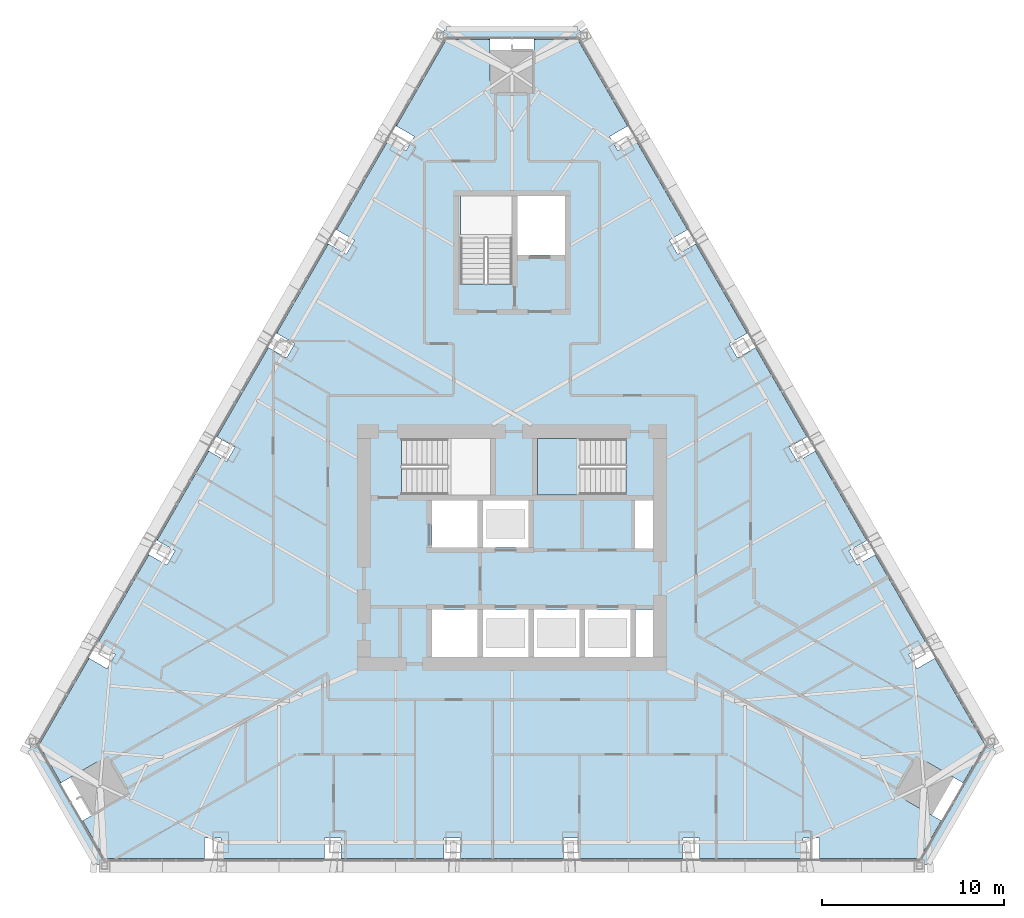
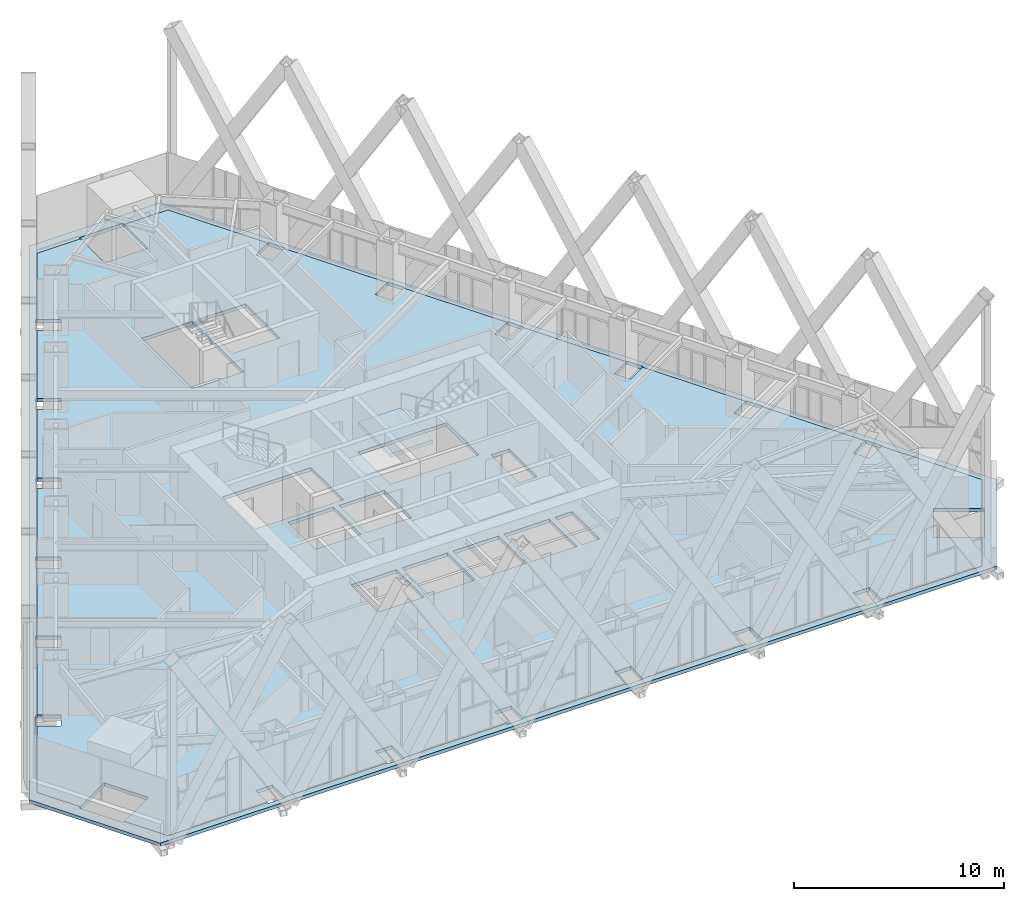
# One storey, part 11 of 21: 3 slabs, 1 element without a shape of its own.
"""IFC4 building model written with IfcOpenShell, lengths in metres."""

import ifcopenshell
import ifcopenshell.guid

model = None  # the IFC model being written
_history = None  # IfcOwnerHistory: only IFC2X3 demands one
_inside = {}  # id of a spatial element -> (the spatial element, [elements in it])
_under = {}  # id of a project, library or spatial element -> (it, [spatial elements below it])
_declared = {}  # id of a project -> (the project, [libraries it declares])
_typed = {}  # id of a type object -> (the type object, [elements of that type])
_made_of = {}  # id of a material, layer set ... -> (it, [elements and type objects made of it])


def new_model(schema):
    """Start an empty IFC model of exactly this schema.

    Asked for "IFC4X3", IfcOpenShell would pick the latest addendum, in which some entities
    have other attributes; the version numbers below select the first issue.
    IFC2X3 requires an IfcOwnerHistory on every rooted entity: one is made here for all.
    """
    global model, _history
    if schema == "IFC4X3":
        model = ifcopenshell.file(schema_version=(4, 3, 0, 0))
    else:
        model = ifcopenshell.file(schema=schema)
    _inside.clear()
    _under.clear()
    _declared.clear()
    _typed.clear()
    _made_of.clear()
    _history = None
    if model.schema == "IFC2X3":
        org = make("IfcOrganization", Name="unknown")
        user = make(
            "IfcPersonAndOrganization",
            ThePerson=make("IfcPerson", FamilyName="unknown"),
            TheOrganization=org,
        )
        app = make(
            "IfcApplication",
            ApplicationDeveloper=org,
            Version="unknown",
            ApplicationFullName="unknown",
            ApplicationIdentifier="unknown",
        )
        _history = make(
            "IfcOwnerHistory",
            OwningUser=user,
            OwningApplication=app,
            ChangeAction="ADDED",
            CreationDate=0,
        )
    return model


def make(cls, **values):
    """One entity of the class cls with the attributes given. An attribute that is None is left unset."""
    return model.create_entity(
        cls, **{name: value for name, value in values.items() if value is not None}
    )


def rooted(cls, **values):
    """An entity with a GlobalId (a new one), such as an element, a storey or a relation."""
    return make(cls, GlobalId=ifcopenshell.guid.new(), OwnerHistory=_history, **values)


def si_unit(unit_type, name, prefix=None):
    """IfcSIUnit, for example si_unit("LENGTHUNIT", "METRE", prefix="MILLI")."""
    return make("IfcSIUnit", UnitType=unit_type, Prefix=prefix, Name=name)


def assignment(units):
    """IfcUnitAssignment: the units of a project."""
    return None if units is None else make("IfcUnitAssignment", Units=units)


def point(xyz):
    """IfcCartesianPoint."""
    return None if xyz is None else make("IfcCartesianPoint", Coordinates=xyz)


def direction(xyz):
    """IfcDirection."""
    return None if xyz is None else make("IfcDirection", DirectionRatios=xyz)


def frame(location, z_axis=None, x_axis=None):
    """IfcAxis2Placement3D, a coordinate frame: its origin and axes. An axis left out is left unset."""
    return make(
        "IfcAxis2Placement3D",
        Location=point(location),
        Axis=direction(z_axis),
        RefDirection=direction(x_axis),
    )


def origin():
    """The frame at (0, 0, 0) with its axes left unset."""
    return frame((0.0, 0.0, 0.0))


def place(relative_to, where):
    """IfcLocalPlacement: puts the frame where relative to a parent placement (None: the world)."""
    return make(
        "IfcLocalPlacement", PlacementRelTo=relative_to, RelativePlacement=where
    )


def context(
    kind, dimensions, precision=None, world=None, true_north=None, identifier=None
):
    """IfcGeometricRepresentationContext, for example the 3D "Model" context."""
    return make(
        "IfcGeometricRepresentationContext",
        ContextIdentifier=identifier,
        ContextType=kind,
        CoordinateSpaceDimension=dimensions,
        Precision=precision,
        WorldCoordinateSystem=world,
        TrueNorth=true_north,
    )


def subcontext(parent, identifier, kind, view, scale=None):
    """IfcGeometricRepresentationSubContext, for example "Body" below "Model"."""
    return make(
        "IfcGeometricRepresentationSubContext",
        ContextIdentifier=identifier,
        ContextType=kind,
        ParentContext=parent,
        TargetScale=scale,
        TargetView=view,
    )


def project(units=None, contexts=None):
    """IfcProject with its units and contexts."""
    return rooted(
        "IfcProject",
        Name="project",
        RepresentationContexts=contexts,
        UnitsInContext=assignment(units),
    )


def spatial(cls, under=None, at=None, **own):
    """A site, building, storey or space (cls), placed at a placement, below another one or the project."""
    s = rooted(cls, ObjectPlacement=at, **own)
    if under is not None:
        _under.setdefault(under.id(), (under, []))[1].append(s)
    return s


def polyline(points):
    """IfcPolyline through the points."""
    return make("IfcPolyline", Points=[point(p) for p in points])


def outline(outer, holes=None, kind="AREA"):
    """IfcArbitraryClosedProfileDef: a profile drawn as a closed curve; with holes, ...WithVoids."""
    if holes is None:
        return make("IfcArbitraryClosedProfileDef", ProfileType=kind, OuterCurve=outer)
    return make(
        "IfcArbitraryProfileDefWithVoids",
        ProfileType=kind,
        OuterCurve=outer,
        InnerCurves=holes,
    )


def extrude(swept, where, along, depth):
    """IfcExtrudedAreaSolid: the profile swept, set in the frame where, extruded along a direction by depth."""
    return make(
        "IfcExtrudedAreaSolid",
        SweptArea=swept,
        Position=where,
        ExtrudedDirection=direction(along),
        Depth=depth,
    )


def shape(context_of_items, identifier, shape_type, items):
    """IfcShapeRepresentation: the items that make up one representation, for example the "Body"."""
    return make(
        "IfcShapeRepresentation",
        ContextOfItems=context_of_items,
        RepresentationIdentifier=identifier,
        RepresentationType=shape_type,
        Items=items,
    )


def material(Name=None, Category=None):
    """IfcMaterial."""
    return make("IfcMaterial", Name=Name, Category=Category)


def layer(
    of_material, thickness, ventilated=None, Name=None, Category=None, Priority=None
):
    """IfcMaterialLayer: one layer of a wall or slab, of a material (None: an air gap)."""
    return make(
        "IfcMaterialLayer",
        Material=of_material,
        LayerThickness=thickness,
        IsVentilated=ventilated,
        Name=Name,
        Category=Category,
        Priority=Priority,
    )


def layer_set(layers, Name=None):
    """IfcMaterialLayerSet."""
    return make("IfcMaterialLayerSet", MaterialLayers=layers, LayerSetName=Name)


def made_of(thing, what):
    """Note that an element or type object is made of a material, layer set ...; save() writes the relation."""
    if what is not None:
        _made_of.setdefault(what.id(), (what, []))[1].append(thing)
    return thing


def type_object(cls, material=None, **own):
    """A type object (cls), such as IfcWallType, which elements share."""
    return made_of(rooted(cls, **own), material)


def element(
    cls,
    number,
    at=None,
    inside=None,
    cuts=None,
    type_object=None,
    material=None,
    context=None,
    identifier="Body",
    shape_type=None,
    held_by="IfcProductDefinitionShape",
    body=None,
    shapes=None,
    **own,
):
    """One element of the class cls, such as IfcWall. Its Tag is "e" and its number.

    at: its placement. inside: the storey or other place that contains it. cuts: it is an
    opening in that element (IfcRelVoidsElement). A single representation is given by context,
    identifier, shape_type and body (its items); several are given by shapes. held_by: the class
    of the entity that holds the representations. save() writes the other relations.
    """
    e = rooted(cls, Tag="e%d" % number, ObjectPlacement=at, **own)
    if body is not None:
        shapes = [shape(context, identifier, shape_type, body)]
    if shapes is not None:
        e.Representation = make(held_by, Representations=shapes)
    if inside is not None:
        _inside.setdefault(inside.id(), (inside, []))[1].append(e)
    if cuts is not None:
        rooted(
            "IfcRelVoidsElement", RelatingBuildingElement=cuts, RelatedOpeningElement=e
        )
    if type_object is not None:
        _typed.setdefault(type_object.id(), (type_object, []))[1].append(e)
    return made_of(e, material)


def aggregate(whole, parts):
    """IfcRelAggregates: a whole, such as a stair, and the parts it consists of."""
    return rooted("IfcRelAggregates", RelatingObject=whole, RelatedObjects=parts)


def save(model, path):
    """Write the relations noted so far, then the file.

    IfcRelAggregates (storeys below a building ...), IfcRelContainedInSpatialStructure (elements
    in a storey), IfcRelDefinesByType, IfcRelAssociatesMaterial and IfcRelDeclares: one each for
    every whole, place, type object, material and project.
    """
    for whole, parts in _under.values():
        aggregate(whole, parts)
    for where, things in _inside.values():
        rooted(
            "IfcRelContainedInSpatialStructure",
            RelatedElements=things,
            RelatingStructure=where,
        )
    for kind, things in _typed.values():
        rooted("IfcRelDefinesByType", RelatedObjects=things, RelatingType=kind)
    for what, things in _made_of.values():
        rooted("IfcRelAssociatesMaterial", RelatedObjects=things, RelatingMaterial=what)
    for by, libraries in _declared.values():
        rooted("IfcRelDeclares", RelatingContext=by, RelatedDefinitions=libraries)
    model.write(path)


model = new_model("IFC4")

# Units and contexts
model_context = context("Model", 3, precision=1e-05, world=origin(), true_north=direction((0.0, 1.0)))
body_context = subcontext(model_context, "Body", "Model", "MODEL_VIEW")
ifc_project = project(units=[si_unit("LENGTHUNIT", "METRE"), si_unit("AREAUNIT", "SQUARE_METRE"), si_unit("VOLUMEUNIT", "CUBIC_METRE"), si_unit("PLANEANGLEUNIT", "RADIAN"), si_unit("MASSUNIT", "GRAM", prefix="KILO")], contexts=[model_context])

# Site, building, storey
site_placement = place(None, origin())
site = spatial("IfcSite", under=ifc_project, at=site_placement, CompositionType="ELEMENT")
building_placement = place(site_placement, origin())
building = spatial("IfcBuilding", under=site, at=building_placement, Name="Firuza Gate Tower and Library", CompositionType="ELEMENT")
storey_placement = place(building_placement, frame((0.0, 0.0, 281.10009765625)))
storey = spatial("IfcBuildingStorey", under=building, at=storey_placement, Name="L67", CompositionType="ELEMENT", Elevation=281.10009765625)

# Slab
ifc_material_1 = material(Name="Concrete C40/50", Category="concrete")
ifc_layer_1 = layer(ifc_material_1, 0.199951171875)
ifc_layer_set_1 = layer_set([ifc_layer_1], Name="Composite floor slab 200 C40/50")
slab_type_1 = type_object("IfcSlabType", Name="Composite floor slab 200 C40/50", PredefinedType="FLOOR", material=ifc_layer_set_1)
placement = place(storey_placement, frame((0.0, 0.0, -0.2001953125)))
element("IfcSlab", 1, at=placement, inside=storey, type_object=slab_type_1, Name="Floor slab L67", PredefinedType="FLOOR", context=body_context, shape_type="SweptSolid", body=[
    extrude(outline(polyline([(52.637451171875, 57.931884765625), (58.13671875, 57.931884765625), (58.13671875, 59.076416015625), (59.03662109375, 59.076416015625), (59.03662109375, 57.931884765625), (64.701904296875, 57.931884765625), (64.701904296875, 59.076416015625), (65.60205078125, 59.076416015625), (65.60205078125, 57.931884765625), (71.267333984375, 57.931884765625), (71.267333984375, 59.076416015625), (72.167236328125, 59.076416015625), (72.167236328125, 57.931884765625), (77.832763671875, 57.931884765625), (77.832763671875, 59.076416015625), (78.732666015625, 59.076416015625), (78.732666015625, 57.931884765625), (84.39794921875, 57.931884765625), (84.39794921875, 59.076416015625), (85.298095703125, 59.076416015625), (85.298095703125, 57.931884765625), (90.96337890625, 57.931884765625), (90.96337890625, 59.076416015625), (91.86328125, 59.076416015625), (91.86328125, 57.931884765625), (97.362548828125, 57.931884765625), (98.562744140625, 60.010498046875), (96.58056640625, 61.15478515625), (97.780517578125, 63.233154296875), (99.7626953125, 62.0888671875), (100.962646484375, 64.16748046875), (98.212890625, 68.929931640625), (97.221923828125, 68.357666015625), (96.77197265625, 69.13720703125), (97.762939453125, 69.70947265625), (94.930419921875, 74.61572265625), (93.939208984375, 74.04345703125), (93.4892578125, 74.822998046875), (94.480224609375, 75.39501953125), (91.647705078125, 80.301513671875), (90.65673828125, 79.729248046875), (90.20654296875, 80.5087890625), (91.19775390625, 81.080810546875), (88.364990234375, 85.987060546875), (87.3740234375, 85.4150390625), (86.924072265625, 86.1943359375), (87.9150390625, 86.7666015625), (85.082275390625, 91.6728515625), (84.09130859375, 91.100830078125), (83.641357421875, 91.880126953125), (84.63232421875, 92.452392578125), (81.799560546875, 97.358642578125), (80.80859375, 96.786376953125), (80.358642578125, 97.56591796875), (81.349609375, 98.13818359375), (78.60009765625, 102.900634765625), (76.199951171875, 102.900634765625), (76.199951171875, 100.612060546875), (73.800048828125, 100.612060546875), (73.800048828125, 102.900634765625), (71.39990234375, 102.900634765625), (68.650390625, 98.13818359375), (69.641357421875, 97.56591796875), (69.19140625, 96.786376953125), (68.200439453125, 97.358642578125), (65.36767578125, 92.452392578125), (66.358642578125, 91.880126953125), (65.90869140625, 91.100830078125), (64.917724609375, 91.6728515625), (62.0849609375, 86.7666015625), (63.075927734375, 86.1943359375), (62.6259765625, 85.4150390625), (61.635009765625, 85.987060546875), (58.80224609375, 81.080810546875), (59.79345703125, 80.5087890625), (59.34326171875, 79.729248046875), (58.352294921875, 80.301513671875), (55.519775390625, 75.39501953125), (56.5107421875, 74.822998046875), (56.060791015625, 74.04345703125), (55.069580078125, 74.61572265625), (52.237060546875, 69.70947265625), (53.22802734375, 69.13720703125), (52.778076171875, 68.357666015625), (51.787109375, 68.929931640625), (49.037353515625, 64.16748046875), (50.2373046875, 62.0888671875), (52.219482421875, 63.233154296875), (53.41943359375, 61.15478515625), (51.437255859375, 60.010498046875), (52.637451171875, 57.931884765625)]), holes=[polyline([(73.10009765625, 69.0), (70.60009765625, 69.0), (70.60009765625, 71.60009765625), (73.10009765625, 71.60009765625), (73.10009765625, 69.0)]), polyline([(75.89990234375, 69.0), (73.39990234375, 69.0), (73.39990234375, 71.60009765625), (75.89990234375, 71.60009765625), (75.89990234375, 69.0)]), polyline([(73.10009765625, 75.0), (70.60009765625, 75.0), (70.60009765625, 77.60009765625), (73.10009765625, 77.60009765625), (73.10009765625, 75.0)]), polyline([(75.89990234375, 75.0), (73.39990234375, 75.0), (73.39990234375, 77.60009765625), (75.89990234375, 77.60009765625), (75.89990234375, 75.0)]), polyline([(68.9404296875, 77.89990234375), (68.9404296875, 80.97998046875), (73.81005859375, 80.97998046875), (73.81005859375, 77.89990234375), (68.9404296875, 77.89990234375)]), polyline([(72.159912109375, 89.470458984375), (72.159912109375, 94.300048828125), (75.0, 94.300048828125), (75.0, 89.470458984375), (72.159912109375, 89.470458984375)]), polyline([(78.699951171875, 69.0), (76.199951171875, 69.0), (76.199951171875, 71.60009765625), (78.699951171875, 71.60009765625), (78.699951171875, 69.0)]), polyline([(81.5, 69.0), (79.0, 69.0), (79.0, 71.60009765625), (81.5, 71.60009765625), (81.5, 69.0)]), polyline([(82.75, 69.0), (81.800048828125, 69.0), (81.800048828125, 71.60009765625), (82.75, 71.60009765625), (82.75, 69.0)]), polyline([(82.75, 74.949951171875), (81.75, 74.949951171875), (81.75, 77.60009765625), (82.75, 77.60009765625), (82.75, 74.949951171875)]), polyline([(81.259521484375, 80.97998046875), (81.259521484375, 77.89990234375), (76.389892578125, 77.89990234375), (76.389892578125, 80.97998046875), (81.259521484375, 80.97998046875)]), polyline([(75.300048828125, 91.050048828125), (75.300048828125, 94.300048828125), (77.89990234375, 94.300048828125), (77.89990234375, 91.050048828125), (75.300048828125, 91.050048828125)])]), origin(), (0.0, 0.0, 1.0), 0.2001953125),
])

# Stair, slab
ifc_material_2 = material(Name="Concrete C35/45", Category="concrete")
stair_type = type_object("IfcStairType", Name="Exit stair ST8", PredefinedType="HALF_TURN_STAIR", material=ifc_material_2)
stair_placement = place(storey_placement, origin())
stair = element("IfcStair", 2, at=stair_placement, inside=storey, type_object=stair_type, Name="L67 Stair ST2", PredefinedType="HALF_TURN_STAIR")
ifc_material_3 = material(Name="Concrete C35/45", Category="concrete")
ifc_layer_2 = layer(ifc_material_3, 0.199951171875)
ifc_layer_set_2 = layer_set([ifc_layer_2], Name="Stair landing 200")
slab_type_2 = type_object("IfcSlabType", Name="Stair landing 200", PredefinedType="LANDING", material=ifc_layer_set_2)
slab_2_placement = place(storey_placement, frame((0.0, 0.0, 1.5498046875)))
slab_2 = element("IfcSlab", 3, at=slab_2_placement, type_object=slab_type_2, Name="ST2 landing 1", PredefinedType="LANDING", context=body_context, shape_type="SweptSolid", body=[
    extrude(outline(polyline([(78.739990234375, 80.97998046875), (76.389892578125, 80.97998046875), (76.389892578125, 77.89990234375), (78.739990234375, 77.89990234375), (78.739990234375, 80.97998046875)])), origin(), (0.0, 0.0, 1.0), 0.2001953125),
])
aggregate(stair, [slab_2])

# Slab
ifc_material_4 = material(Name="Concrete C40/50", Category="concrete")
ifc_layer_3 = layer(ifc_material_4, 0.199951171875)
ifc_layer_set_3 = layer_set([ifc_layer_3], Name="Terrace slab 200 C40/50")
slab_type_3 = type_object("IfcSlabType", Name="Terrace slab 200 C40/50", PredefinedType="ROOF", material=ifc_layer_set_3)
element("IfcSlab", 4, at=placement, inside=storey, type_object=slab_type_3, Name="Terrace slab over L66", PredefinedType="ROOF", context=body_context, shape_type="SweptSolid", body=[
    extrude(outline(polyline([(71.39990234375, 103.612060546875), (48.42138671875, 63.811767578125), (52.021240234375, 57.576416015625), (97.978759765625, 57.576416015625), (101.57861328125, 63.811767578125), (78.60009765625, 103.612060546875), (71.39990234375, 103.612060546875)]), holes=[polyline([(52.637451171875, 57.931884765625), (52.637451171875, 57.931884765625), (52.637451171875, 57.931884765625), (51.437255859375, 60.010498046875), (51.341064453125, 59.954833984375), (50.140869140625, 62.033203125), (50.2373046875, 62.0888671875), (49.037353515625, 64.16748046875), (49.037353515625, 64.16748046875), (49.037353515625, 64.16748046875), (49.037353515625, 64.16748046875), (49.037353515625, 64.16748046875), (49.037353515625, 64.16748046875), (49.037353515625, 64.16748046875), (49.037353515625, 64.16748046875), (49.037353515625, 64.16748046875), (49.037353515625, 64.16748046875), (49.037353515625, 64.16748046875), (49.037353515625, 64.16748046875), (51.787109375, 68.929931640625), (51.73876953125, 68.957763671875), (52.188720703125, 69.737060546875), (52.237060546875, 69.70947265625), (55.069580078125, 74.61572265625), (55.021484375, 74.6435546875), (55.471435546875, 75.4228515625), (55.519775390625, 75.39501953125), (58.352294921875, 80.301513671875), (58.30419921875, 80.329345703125), (58.754150390625, 81.108642578125), (58.80224609375, 81.080810546875), (61.635009765625, 85.987060546875), (61.5869140625, 86.014892578125), (62.036865234375, 86.79443359375), (62.0849609375, 86.7666015625), (64.917724609375, 91.6728515625), (64.869384765625, 91.70068359375), (65.319580078125, 92.480224609375), (65.36767578125, 92.452392578125), (68.200439453125, 97.358642578125), (68.152099609375, 97.386474609375), (68.60205078125, 98.166015625), (68.650390625, 98.13818359375), (71.39990234375, 102.900634765625), (71.39990234375, 102.900634765625), (71.39990234375, 102.900634765625), (71.39990234375, 102.900634765625), (71.39990234375, 102.900634765625), (71.39990234375, 102.900634765625), (71.39990234375, 102.900634765625), (71.39990234375, 102.900634765625), (71.39990234375, 102.900634765625), (71.39990234375, 102.900634765625), (71.39990234375, 102.900634765625), (71.39990234375, 102.900634765625), (73.800048828125, 102.900634765625), (73.800048828125, 103.011962890625), (76.199951171875, 103.011962890625), (76.199951171875, 102.900634765625), (78.60009765625, 102.900634765625), (78.60009765625, 102.900634765625), (78.60009765625, 102.900634765625), (78.60009765625, 102.900634765625), (78.60009765625, 102.900634765625), (78.60009765625, 102.900634765625), (78.60009765625, 102.900634765625), (78.60009765625, 102.900634765625), (78.60009765625, 102.900634765625), (78.60009765625, 102.900634765625), (78.60009765625, 102.900634765625), (78.60009765625, 102.900634765625), (81.349609375, 98.13818359375), (81.39794921875, 98.166015625), (81.847900390625, 97.386474609375), (81.799560546875, 97.358642578125), (84.63232421875, 92.452392578125), (84.680419921875, 92.480224609375), (85.130615234375, 91.70068359375), (85.082275390625, 91.6728515625), (87.9150390625, 86.7666015625), (87.963134765625, 86.79443359375), (88.4130859375, 86.014892578125), (88.364990234375, 85.987060546875), (91.19775390625, 81.080810546875), (91.245849609375, 81.108642578125), (91.69580078125, 80.329345703125), (91.647705078125, 80.301513671875), (94.480224609375, 75.39501953125), (94.528564453125, 75.4228515625), (94.978515625, 74.6435546875), (94.930419921875, 74.61572265625), (97.762939453125, 69.70947265625), (97.811279296875, 69.737060546875), (98.26123046875, 68.957763671875), (98.212890625, 68.929931640625), (100.962646484375, 64.16748046875), (100.962646484375, 64.16748046875), (100.962646484375, 64.16748046875), (100.962646484375, 64.16748046875), (100.962646484375, 64.16748046875), (100.962646484375, 64.16748046875), (100.962646484375, 64.16748046875), (100.962646484375, 64.16748046875), (100.962646484375, 64.16748046875), (100.962646484375, 64.16748046875), (100.962646484375, 64.16748046875), (100.962646484375, 64.16748046875), (99.7626953125, 62.0888671875), (99.859130859375, 62.033203125), (98.658935546875, 59.954833984375), (98.562744140625, 60.010498046875), (97.362548828125, 57.931884765625), (97.362548828125, 57.931884765625), (97.362548828125, 57.931884765625), (97.362548828125, 57.931884765625), (97.362548828125, 57.931884765625), (97.362548828125, 57.931884765625), (97.362548828125, 57.931884765625), (97.362548828125, 57.931884765625), (97.362548828125, 57.931884765625), (97.362548828125, 57.931884765625), (97.362548828125, 57.931884765625), (97.362548828125, 57.931884765625), (91.86328125, 57.931884765625), (91.86328125, 57.876220703125), (90.96337890625, 57.876220703125), (90.96337890625, 57.931884765625), (85.298095703125, 57.931884765625), (85.298095703125, 57.876220703125), (84.39794921875, 57.876220703125), (84.39794921875, 57.931884765625), (78.732666015625, 57.931884765625), (78.732666015625, 57.876220703125), (77.832763671875, 57.876220703125), (77.832763671875, 57.931884765625), (72.167236328125, 57.931884765625), (72.167236328125, 57.876220703125), (71.267333984375, 57.876220703125), (71.267333984375, 57.931884765625), (65.60205078125, 57.931884765625), (65.60205078125, 57.876220703125), (64.701904296875, 57.876220703125), (64.701904296875, 57.931884765625), (59.03662109375, 57.931884765625), (59.03662109375, 57.876220703125), (58.13671875, 57.876220703125), (58.13671875, 57.931884765625), (52.637451171875, 57.931884765625), (52.637451171875, 57.931884765625), (52.637451171875, 57.931884765625), (52.637451171875, 57.931884765625), (52.637451171875, 57.931884765625), (52.637451171875, 57.931884765625), (52.637451171875, 57.931884765625), (52.637451171875, 57.931884765625), (52.637451171875, 57.931884765625), (52.637451171875, 57.931884765625)])]), origin(), (0.0, 0.0, 1.0), 0.2001953125),
])

save(model, "model.ifc")
